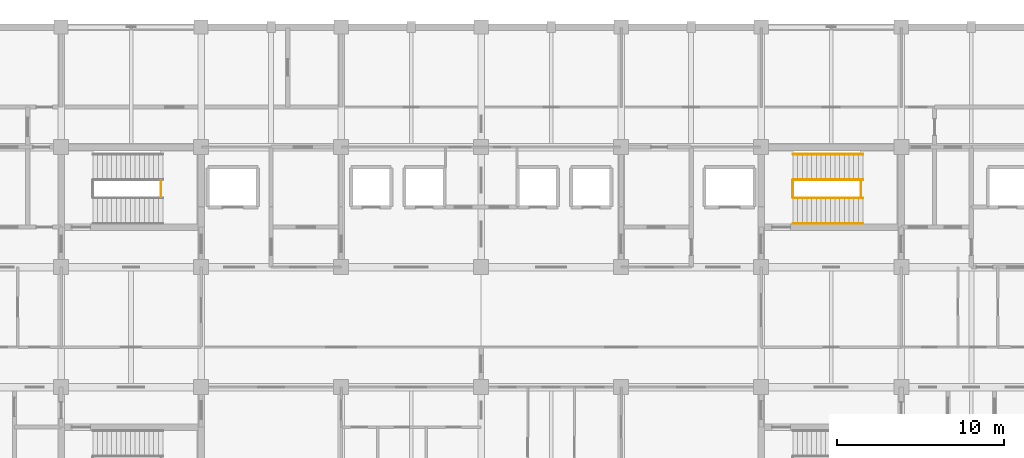
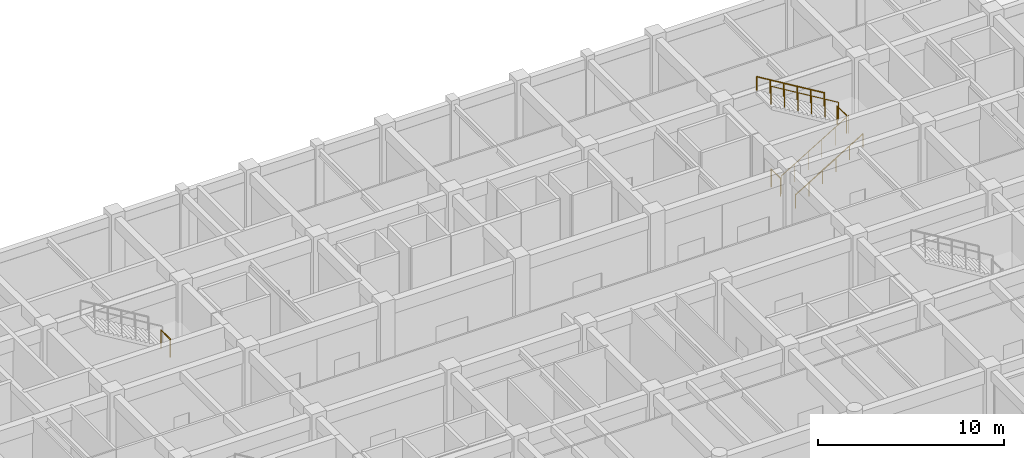
# One storey, part 71 of 73: 7 railings.
"""IFC4 building model written with IfcOpenShell, lengths in metres."""

from ifc_helpers import new_model, si_unit, direction, frame, origin, origin_2d, place, context, subcontext, project, spatial, circle, extrude, material, type_object, element, save


model = new_model("IFC4")

# Units and contexts
model_context = context("Model", 3, precision=1e-05, world=origin(), true_north=direction((0.0, 1.0)))
body_context = subcontext(model_context, "Body", "Model", "MODEL_VIEW")
ifc_project = project(units=[si_unit("LENGTHUNIT", "METRE"), si_unit("AREAUNIT", "SQUARE_METRE"), si_unit("VOLUMEUNIT", "CUBIC_METRE"), si_unit("PLANEANGLEUNIT", "RADIAN"), si_unit("MASSUNIT", "GRAM", prefix="KILO")], contexts=[model_context])

# Site, building, storey
site_placement = place(None, origin())
site = spatial("IfcSite", under=ifc_project, at=site_placement, CompositionType="ELEMENT")
building_placement = place(site_placement, origin())
building = spatial("IfcBuilding", under=site, at=building_placement, Name="Chengyuan Square Courthouse", CompositionType="ELEMENT")
storey_placement = place(building_placement, origin())
storey = spatial("IfcBuildingStorey", under=building, at=storey_placement, Name="L01", CompositionType="ELEMENT", Elevation=0.0)

# Railings
ifc_material_1 = material(Name="Tempered Glass and Timber Top-Rail Balustrade", Category="wood")
railing_type_1 = type_object("IfcRailingType", Name="RL-02", PredefinedType="BALUSTRADE", material=ifc_material_1)
for number, where, name in (
    (1, (64.7900390625, 105.0, 2.699951171875), "Stair Landing Guard ST-1-L01"),
    (2, (102.68994140625, 105.0, 0.0), "Stair Floor Slot Guard ST-2 L01"),
    (3, (106.7900390625, 105.0, 2.699951171875), "Stair Landing Guard ST-2-L01"),
):
    element("IfcRailing", number, at=place(storey_placement, frame(where)), inside=storey, type_object=railing_type_1, Name=name, PredefinedType="BALUSTRADE", context=body_context, shape_type="SweptSolid", body=[
        extrude(circle(Radius=0.02392578125, at=origin_2d()), frame((0.0, 0.0, 1.17578125), z_axis=(0.0, 1.0, 0.0), x_axis=(-1.0, 0.0, 0.0)), (0.0, 0.0, 1.0), 1.0),
        extrude(circle(Radius=0.02099609375, at=origin_2d()), origin(), (0.0, 0.0, 1.0), 1.15185546875),
        extrude(circle(Radius=0.02099609375, at=origin_2d()), frame((0.0, 1.0, 0.0)), (0.0, 0.0, 1.0), 1.15185546875),
    ])
railing_1_placement = place(storey_placement, frame((102.7099609375, 104.949951171875, 0.168701171875)))
element("IfcRailing", 4, at=railing_1_placement, inside=storey, type_object=railing_type_1, Name="Stair Flight 1 Guard ST-2-L01", PredefinedType="BALUSTRADE", context=body_context, shape_type="SweptSolid", body=[
    extrude(circle(Radius=0.02392578125, at=origin_2d()), frame((0.0, 0.0, 1.17578125), z_axis=(0.856476492594, 0.0, 0.516186030065), x_axis=(0.0, 1.0, 0.0)), (0.0, 0.0, 1.0), 4.90380859375),
    extrude(circle(Radius=0.02099609375, at=origin_2d()), origin(), (0.0, 0.0, 1.0), 1.15185546875),
    extrude(circle(Radius=0.02099609375, at=origin_2d()), frame((0.840087890625, 0.0, 0.50634765625)), (0.0, 0.0, 1.0), 1.15185546875),
    extrude(circle(Radius=0.02099609375, at=origin_2d()), frame((1.679931640625, 0.0, 1.012451171875)), (0.0, 0.0, 1.0), 1.15185546875),
    extrude(circle(Radius=0.02099609375, at=origin_2d()), frame((2.52001953125, 0.0, 1.518798828125)), (0.0, 0.0, 1.0), 1.15185546875),
    extrude(circle(Radius=0.02099609375, at=origin_2d()), frame((3.35986328125, 0.0, 2.02490234375)), (0.0, 0.0, 1.0), 1.15185546875),
    extrude(circle(Radius=0.02099609375, at=origin_2d()), frame((4.199951171875, 0.0, 2.53125)), (0.0, 0.0, 1.0), 1.15185546875),
])
railing_2_placement = place(storey_placement, frame((106.909912109375, 106.050048828125, 2.868896484375)))
element("IfcRailing", 5, at=railing_2_placement, inside=storey, type_object=railing_type_1, Name="Stair Flight 2 Guard ST-2-L01", PredefinedType="BALUSTRADE", context=body_context, shape_type="SweptSolid", body=[
    extrude(circle(Radius=0.02392578125, at=origin_2d()), frame((0.0, 0.0, 1.17578125), z_axis=(-0.856498503035, 0.0, 0.5161495077), x_axis=(0.0, -1.0, 0.0)), (0.0, 0.0, 1.0), 4.903564453125),
    extrude(circle(Radius=0.02099609375, at=origin_2d()), origin(), (0.0, 0.0, 1.0), 1.15185546875),
    extrude(circle(Radius=0.02099609375, at=origin_2d()), frame((-0.840087890625, 0.0, 0.506103515625)), (0.0, 0.0, 1.0), 1.15185546875),
    extrude(circle(Radius=0.02099609375, at=origin_2d()), frame((-1.679931640625, 0.0, 1.012451171875)), (0.0, 0.0, 1.0), 1.15185546875),
    extrude(circle(Radius=0.02099609375, at=origin_2d()), frame((-2.52001953125, 0.0, 1.5185546875)), (0.0, 0.0, 1.0), 1.15185546875),
    extrude(circle(Radius=0.02099609375, at=origin_2d()), frame((-3.35986328125, 0.0, 2.02490234375)), (0.0, 0.0, 1.0), 1.15185546875),
    extrude(circle(Radius=0.02099609375, at=origin_2d()), frame((-4.199951171875, 0.0, 2.531005859375)), (0.0, 0.0, 1.0), 1.15185546875),
])
ifc_material_2 = material(Name="Stainless Steel S30408 Stair Handrail", Category="steel")
railing_type_2 = type_object("IfcRailingType", Name="RL-04", PredefinedType="HANDRAIL", material=ifc_material_2)
railing_3_placement = place(storey_placement, frame((102.7099609375, 103.419921875, 0.168701171875)))
element("IfcRailing", 6, at=railing_3_placement, inside=storey, type_object=railing_type_2, Name="Stair Flight 1 Handrail ST-2-L01", PredefinedType="HANDRAIL", context=body_context, shape_type="SweptSolid", body=[
    extrude(circle(Radius=0.02392578125, at=origin_2d()), frame((0.0, 0.0, 0.8759765625), z_axis=(0.856476492594, 0.0, 0.516186030065), x_axis=(0.0, 1.0, 0.0)), (0.0, 0.0, 1.0), 4.90380859375),
    extrude(circle(Radius=0.02099609375, at=origin_2d()), origin(), (0.0, 0.0, 1.0), 0.851806640625),
    extrude(circle(Radius=0.02099609375, at=origin_2d()), frame((0.840087890625, 0.0, 0.50634765625)), (0.0, 0.0, 1.0), 0.851806640625),
    extrude(circle(Radius=0.02099609375, at=origin_2d()), frame((1.679931640625, 0.0, 1.012451171875)), (0.0, 0.0, 1.0), 0.851806640625),
    extrude(circle(Radius=0.02099609375, at=origin_2d()), frame((2.52001953125, 0.0, 1.518798828125)), (0.0, 0.0, 1.0), 0.851806640625),
    extrude(circle(Radius=0.02099609375, at=origin_2d()), frame((3.35986328125, 0.0, 2.02490234375)), (0.0, 0.0, 1.0), 0.851806640625),
    extrude(circle(Radius=0.02099609375, at=origin_2d()), frame((4.199951171875, 0.0, 2.53125)), (0.0, 0.0, 1.0), 0.851806640625),
])
railing_4_placement = place(storey_placement, frame((106.909912109375, 107.580078125, 2.868896484375)))
element("IfcRailing", 7, at=railing_4_placement, inside=storey, type_object=railing_type_2, Name="Stair Flight 2 Handrail ST-2-L01", PredefinedType="HANDRAIL", context=body_context, shape_type="SweptSolid", body=[
    extrude(circle(Radius=0.02392578125, at=origin_2d()), frame((0.0, 0.0, 0.8759765625), z_axis=(-0.856498503035, 0.0, 0.5161495077), x_axis=(0.0, -1.0, 0.0)), (0.0, 0.0, 1.0), 4.903564453125),
    extrude(circle(Radius=0.02099609375, at=origin_2d()), origin(), (0.0, 0.0, 1.0), 0.851806640625),
    extrude(circle(Radius=0.02099609375, at=origin_2d()), frame((-0.840087890625, 0.0, 0.506103515625)), (0.0, 0.0, 1.0), 0.851806640625),
    extrude(circle(Radius=0.02099609375, at=origin_2d()), frame((-1.679931640625, 0.0, 1.012451171875)), (0.0, 0.0, 1.0), 0.851806640625),
    extrude(circle(Radius=0.02099609375, at=origin_2d()), frame((-2.52001953125, 0.0, 1.5185546875)), (0.0, 0.0, 1.0), 0.851806640625),
    extrude(circle(Radius=0.02099609375, at=origin_2d()), frame((-3.35986328125, 0.0, 2.02490234375)), (0.0, 0.0, 1.0), 0.851806640625),
    extrude(circle(Radius=0.02099609375, at=origin_2d()), frame((-4.199951171875, 0.0, 2.531005859375)), (0.0, 0.0, 1.0), 0.851806640625),
])

save(model, "model.ifc")
